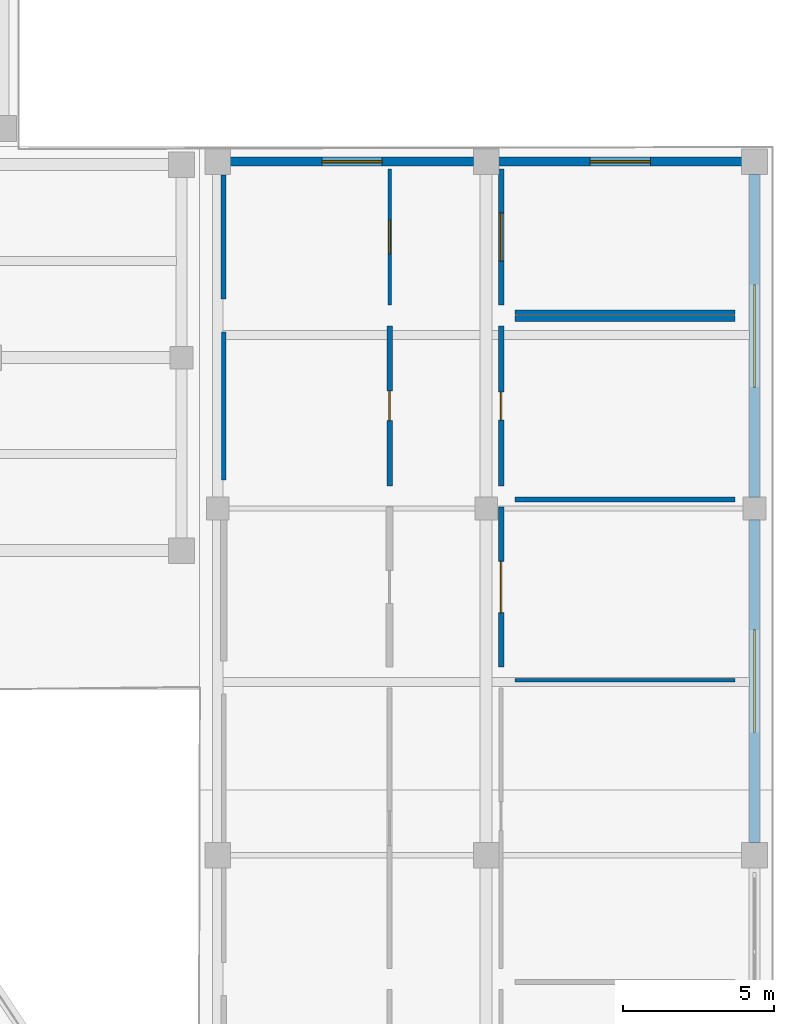
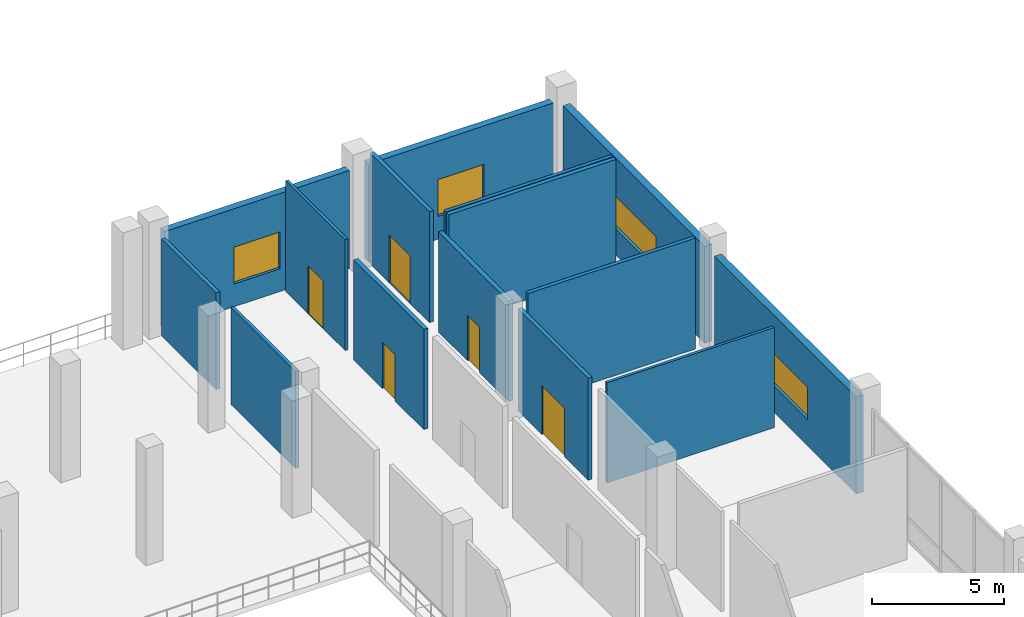
# One storey, part 85 of 114: 15 walls, 5 doors, 4 windows, 9 openings.
"""IFC4 building model written with IfcOpenShell, lengths in metres."""

from ifc_helpers import new_model, si_unit, direction, frame, frame_2d, origin, place, context, subcontext, project, spatial, rectangle, extrude, material, layer, layer_set, type_object, element, fill, save


model = new_model("IFC4")

# Units and contexts
model_context = context("Model", 3, precision=1e-05, world=origin(), true_north=direction((0.0, 1.0)))
body_context = subcontext(model_context, "Body", "Model", "MODEL_VIEW")
ifc_project = project(units=[si_unit("LENGTHUNIT", "METRE"), si_unit("AREAUNIT", "SQUARE_METRE"), si_unit("VOLUMEUNIT", "CUBIC_METRE"), si_unit("PLANEANGLEUNIT", "RADIAN"), si_unit("MASSUNIT", "GRAM", prefix="KILO")], contexts=[model_context])

# Site, building, storey
site_placement = place(None, origin())
site = spatial("IfcSite", under=ifc_project, at=site_placement, CompositionType="ELEMENT")
building_placement = place(site_placement, origin())
building = spatial("IfcBuilding", under=site, at=building_placement, Name="Candeia Ridge Stadium", CompositionType="ELEMENT")
storey_placement = place(building_placement, frame((0.0, 0.0, 5.39990234375)))
storey = spatial("IfcBuildingStorey", under=building, at=storey_placement, Name="L01", CompositionType="ELEMENT", Elevation=5.39990234375)

# Walls
ifc_material_1 = material(Name="Gypsum Metal-Stud Partition", Category="gypsum")
ifc_layer_1 = layer(ifc_material_1, 0.14501953125, Name="Gypsum Metal-Stud Partition", Category="gypsum")
ifc_layer_set_1 = layer_set([ifc_layer_1], Name="Gypsum Metal-Stud Partition")
wall_type_1 = type_object("IfcWallType", Name="Athlete Recovery Partition 145", PredefinedType="PARTITIONING", material=ifc_layer_set_1)
wall_1_placement = place(storey_placement, frame((193.800048828125, 135.949951171875, 0.0), z_axis=(0.0, 0.0, 1.0), x_axis=(0.0, 1.0, 0.0)))
element("IfcWall", 1, at=wall_1_placement, inside=storey, type_object=wall_type_1, Name="Demising partition PT-L01-0217", PredefinedType="PARTITIONING", context=body_context, shape_type="SweptSolid", body=[
    extrude(rectangle(XDim=4.900146484375, YDim=0.14501953125, at=frame_2d((2.4501953125, 0.0))), origin(), (0.0, 0.0, 1.0), 4.47509765625),
])
ifc_material_2 = material(Name="Gypsum Acoustic Twin-Stud Assembly", Category="gypsum")
ifc_layer_2 = layer(ifc_material_2, 0.159912109375, Name="Gypsum Acoustic Twin-Stud Assembly", Category="gypsum")
ifc_layer_set_2 = layer_set([ifc_layer_2], Name="Gypsum Acoustic Twin-Stud Assembly")
wall_type_2 = type_object("IfcWallType", Name="Club Dining Acoustic Partition 160", PredefinedType="PARTITIONING", material=ifc_layer_set_2)
wall_2_placement = place(storey_placement, frame((203.449951171875, 135.300048828125, 0.0), z_axis=(0.0, 0.0, 1.0), x_axis=(1.0, 0.0, 0.0)))
element("IfcWall", 2, at=wall_2_placement, inside=storey, type_object=wall_type_2, Name="Demising partition PT-L01-0215", PredefinedType="PARTITIONING", context=body_context, shape_type="SweptSolid", body=[
    extrude(rectangle(XDim=7.300048828125, YDim=0.159912109375, at=frame_2d((3.64990234375, 0.0))), origin(), (0.0, 0.0, 1.0), 5.1201171875),
])
ifc_material_3 = material(Name="Concrete Masonry Blockwork C25/30", Category="masonry")
ifc_layer_3 = layer(ifc_material_3, 0.14990234375, Name="Concrete Masonry Blockwork C25/30", Category="masonry")
ifc_layer_set_3 = layer_set([ifc_layer_3], Name="Concrete Masonry Blockwork C25/30")
wall_type_3 = type_object("IfcWallType", Name="Concourse Kiosk Partition 150", PredefinedType="PARTITIONING", material=ifc_layer_set_3)
wall_3_placement = place(storey_placement, frame((210.75, 141.5, 0.0), z_axis=(0.0, 0.0, 1.0), x_axis=(-1.0, 0.0, 0.0)))
element("IfcWall", 3, at=wall_3_placement, inside=storey, type_object=wall_type_3, Name="Demising partition PT-L01-0223", PredefinedType="PARTITIONING", context=body_context, shape_type="SweptSolid", body=[
    extrude(rectangle(XDim=7.300048828125, YDim=0.14990234375, at=frame_2d((3.64990234375, 0.0))), origin(), (0.0, 0.0, 1.0), 5.1201171875),
])

# Wall, opening, window
ifc_material_4 = material(Name="Concrete C35/45", Category="concrete")
ifc_layer_4 = layer(ifc_material_4, 0.320068359375, Name="Concrete C35/45", Category="concrete")
ifc_layer_set_4 = layer_set([ifc_layer_4], Name="Concrete C35/45")
wall_type_4 = type_object("IfcWallType", Name="Exterior Cedar-Clad Insulated Wall 320", PredefinedType="SOLIDWALL", material=ifc_layer_set_4)
wall_4_placement = place(storey_placement, frame((211.39990234375, 123.9130859375, 0.0), z_axis=(0.0, 0.0, 1.0), x_axis=(0.0, 1.0, 0.0)))
wall_4 = element("IfcWall", 4, at=wall_4_placement, inside=storey, type_object=wall_type_4, Name="Exterior facade wall EW-L01-0138", PredefinedType="SOLIDWALL", context=body_context, shape_type="SweptSolid", body=[
    extrude(rectangle(XDim=10.723876953125, YDim=0.320068359375, at=frame_2d((5.36181640625, 0.0))), origin(), (0.0, 0.0, 1.0), 4.47509765625),
])
opening_1_placement = place(wall_4_placement, frame((3.662109375, 0.0, 1.199951171875)))
opening_1 = element("IfcOpeningElement", 5, at=opening_1_placement, cuts=wall_4, Name="Opening W09", PredefinedType="OPENING", context=body_context, shape_type="SweptSolid", body=[
    extrude(rectangle(XDim=3.39990234375, YDim=1.5, at=frame_2d((1.699951171875, 0.75))), frame((0.0, 0.169921875, 0.0), z_axis=(0.0, -1.0, 0.0), x_axis=(1.0, 0.0, 0.0)), (0.0, 0.0, 1.0), 0.340087890625),
])
ifc_material_5 = material(Name="Tempered Solar-Control Double Glazing", Category="glass")
window_type_1 = type_object("IfcWindowType", Name="Warm-Up Hall High Window 3400x1500", PartitioningType="SINGLE_PANEL", PredefinedType="WINDOW", material=ifc_material_5)
window_1_placement = place(opening_1_placement, origin())
window_1 = element("IfcWindow", 6, at=window_1_placement, inside=storey, type_object=window_type_1, Name="Exterior window WIN-L01-075", OverallHeight=1.5, OverallWidth=3.39990234375, PartitioningType="SINGLE_PANEL", PredefinedType="WINDOW", context=body_context, shape_type="SweptSolid", body=[
    extrude(rectangle(XDim=3.39990234375, YDim=1.5, at=frame_2d((1.699951171875, 0.75))), frame((0.0, 0.030029296875, 0.0), z_axis=(0.0, -1.0, 0.0), x_axis=(1.0, 0.0, 0.0)), (0.0, 0.0, 1.0), 0.06005859375),
])
fill(opening_1, window_1)

wall_5_placement = place(storey_placement, frame((211.39990234375, 135.363037109375, 0.0), z_axis=(0.0, 0.0, 1.0), x_axis=(0.0, 1.0, 0.0)))
wall_5 = element("IfcWall", 7, at=wall_5_placement, inside=storey, type_object=wall_type_4, Name="Exterior facade wall EW-L01-0139", PredefinedType="SOLIDWALL", context=body_context, shape_type="SweptSolid", body=[
    extrude(rectangle(XDim=10.723876953125, YDim=0.320068359375, at=frame_2d((5.36181640625, 0.0))), origin(), (0.0, 0.0, 1.0), 4.47509765625),
])
opening_2_placement = place(wall_5_placement, frame((3.662109375, 0.0, 1.199951171875)))
opening_2 = element("IfcOpeningElement", 8, at=opening_2_placement, cuts=wall_5, Name="Opening W09", PredefinedType="OPENING", context=body_context, shape_type="SweptSolid", body=[
    extrude(rectangle(XDim=3.39990234375, YDim=1.5, at=frame_2d((1.699951171875, 0.75))), frame((0.0, 0.169921875, 0.0), z_axis=(0.0, -1.0, 0.0), x_axis=(1.0, 0.0, 0.0)), (0.0, 0.0, 1.0), 0.340087890625),
])
window_2_placement = place(opening_2_placement, origin())
window_2 = element("IfcWindow", 9, at=window_2_placement, inside=storey, type_object=window_type_1, Name="Exterior window WIN-L01-076", OverallHeight=1.5, OverallWidth=3.39990234375, PartitioningType="SINGLE_PANEL", PredefinedType="WINDOW", context=body_context, shape_type="SweptSolid", body=[
    extrude(rectangle(XDim=3.39990234375, YDim=1.5, at=frame_2d((1.699951171875, 0.75))), frame((0.0, 0.030029296875, 0.0), z_axis=(0.0, -1.0, 0.0), x_axis=(1.0, 0.0, 0.0)), (0.0, 0.0, 1.0), 0.06005859375),
])
fill(opening_2, window_2)

ifc_layer_5 = layer(ifc_material_4, 0.300048828125, Name="Concrete C35/45", Category="concrete")
ifc_layer_set_5 = layer_set([ifc_layer_5], Name="Concrete C35/45")
wall_type_5 = type_object("IfcWallType", Name="Exterior Pavilion Rainscreen Wall 300", PredefinedType="SOLIDWALL", material=ifc_layer_set_5)
wall_6_placement = place(storey_placement, frame((194.012939453125, 146.5, 0.0), z_axis=(0.0, 0.0, 1.0), x_axis=(1.0, 0.0, 0.0)))
wall_6 = element("IfcWall", 10, at=wall_6_placement, inside=storey, type_object=wall_type_5, Name="Exterior facade wall EW-L01-0142", PredefinedType="SOLIDWALL", context=body_context, shape_type="SweptSolid", body=[
    extrude(rectangle(XDim=8.073974609375, YDim=0.300048828125, at=frame_2d((4.037109375, 0.0))), origin(), (0.0, 0.0, 1.0), 4.525146484375),
])
opening_3_placement = place(wall_6_placement, frame((3.037109375, 0.0, 1.050048828125)))
opening_3 = element("IfcOpeningElement", 11, at=opening_3_placement, cuts=wall_6, Name="Opening W12", PredefinedType="OPENING", context=body_context, shape_type="SweptSolid", body=[
    extrude(rectangle(XDim=2.0, YDim=1.699951171875, at=frame_2d((1.0, 0.85009765625))), frame((0.0, 0.159912109375, 0.0), z_axis=(0.0, -1.0, 0.0), x_axis=(1.0, 0.0, 0.0)), (0.0, 0.0, 1.0), 0.320068359375),
])
window_type_2 = type_object("IfcWindowType", Name="Community Room Window 2000x1700", PartitioningType="SINGLE_PANEL", PredefinedType="WINDOW", material=ifc_material_5)
window_3_placement = place(opening_3_placement, origin())
window_3 = element("IfcWindow", 12, at=window_3_placement, inside=storey, type_object=window_type_2, Name="Exterior window WIN-L01-079", OverallHeight=1.699951171875, OverallWidth=2.0, PartitioningType="SINGLE_PANEL", PredefinedType="WINDOW", context=body_context, shape_type="SweptSolid", body=[
    extrude(rectangle(XDim=2.0, YDim=1.699951171875, at=frame_2d((1.0, 0.85009765625))), frame((0.0, 0.030029296875, 0.0), z_axis=(0.0, -1.0, 0.0), x_axis=(1.0, 0.0, 0.0)), (0.0, 0.0, 1.0), 0.06005859375),
])
fill(opening_3, window_3)

wall_7_placement = place(storey_placement, frame((202.9130859375, 146.5, 0.0), z_axis=(0.0, 0.0, 1.0), x_axis=(1.0, 0.0, 0.0)))
wall_7 = element("IfcWall", 13, at=wall_7_placement, inside=storey, type_object=wall_type_5, Name="Exterior facade wall EW-L01-0143", PredefinedType="SOLIDWALL", context=body_context, shape_type="SweptSolid", body=[
    extrude(rectangle(XDim=8.073974609375, YDim=0.300048828125, at=frame_2d((4.037109375, 0.0))), origin(), (0.0, 0.0, 1.0), 4.525146484375),
])
opening_4_placement = place(wall_7_placement, frame((3.037109375, 0.0, 1.050048828125)))
opening_4 = element("IfcOpeningElement", 14, at=opening_4_placement, cuts=wall_7, Name="Opening W12", PredefinedType="OPENING", context=body_context, shape_type="SweptSolid", body=[
    extrude(rectangle(XDim=2.0, YDim=1.699951171875, at=frame_2d((1.0, 0.85009765625))), frame((0.0, 0.159912109375, 0.0), z_axis=(0.0, -1.0, 0.0), x_axis=(1.0, 0.0, 0.0)), (0.0, 0.0, 1.0), 0.320068359375),
])
window_4_placement = place(opening_4_placement, origin())
window_4 = element("IfcWindow", 15, at=window_4_placement, inside=storey, type_object=window_type_2, Name="Exterior window WIN-L01-080", OverallHeight=1.699951171875, OverallWidth=2.0, PartitioningType="SINGLE_PANEL", PredefinedType="WINDOW", context=body_context, shape_type="SweptSolid", body=[
    extrude(rectangle(XDim=2.0, YDim=1.699951171875, at=frame_2d((1.0, 0.85009765625))), frame((0.0, 0.030029296875, 0.0), z_axis=(0.0, -1.0, 0.0), x_axis=(1.0, 0.0, 0.0)), (0.0, 0.0, 1.0), 0.06005859375),
])
fill(opening_4, window_4)

# Wall
ifc_layer_6 = layer(ifc_material_2, 0.1650390625, Name="Gypsum Acoustic Twin-Stud Assembly", Category="gypsum")
ifc_layer_set_6 = layer_set([ifc_layer_6], Name="Gypsum Acoustic Twin-Stud Assembly")
wall_type_6 = type_object("IfcWallType", Name="Hospitality Suite Acoustic Wall 165", PredefinedType="PARTITIONING", material=ifc_layer_set_6)
wall_8_placement = place(storey_placement, frame((193.800048828125, 141.949951171875, 0.0), z_axis=(0.0, 0.0, 1.0), x_axis=(0.0, 1.0, 0.0)))
element("IfcWall", 16, at=wall_8_placement, inside=storey, type_object=wall_type_6, Name="Demising partition PT-L01-0221", PredefinedType="PARTITIONING", context=body_context, shape_type="SweptSolid", body=[
    extrude(rectangle(XDim=4.10009765625, YDim=0.1650390625, at=frame_2d((2.050048828125, 0.0))), origin(), (0.0, 0.0, 1.0), 4.47509765625),
])

# Wall, opening, door
ifc_material_6 = material(Name="Gypsum Acoustic Triple-Board Wall", Category="gypsum")
ifc_layer_7 = layer(ifc_material_6, 0.18994140625, Name="Gypsum Acoustic Triple-Board Wall", Category="gypsum")
ifc_layer_set_7 = layer_set([ifc_layer_7], Name="Gypsum Acoustic Triple-Board Wall")
wall_type_7 = type_object("IfcWallType", Name="Media & Commentary Studio Wall 190", PredefinedType="PARTITIONING", material=ifc_layer_set_7)
wall_9_placement = place(storey_placement, frame((203.0, 135.75, 0.0), z_axis=(0.0, 0.0, 1.0), x_axis=(0.0, 1.0, 0.0)))
wall_9 = element("IfcWall", 17, at=wall_9_placement, inside=storey, type_object=wall_type_7, Name="Interior partition PT-L01-0218", PredefinedType="PARTITIONING", context=body_context, shape_type="SweptSolid", body=[
    extrude(rectangle(XDim=5.300048828125, YDim=0.18994140625, at=frame_2d((2.64990234375, 0.0))), origin(), (0.0, 0.0, 1.0), 4.625),
])
opening_5_placement = place(wall_9_placement, frame((2.18994140625, 0.0, 0.0)))
opening_5 = element("IfcOpeningElement", 18, at=opening_5_placement, cuts=wall_9, Name="Opening ID15", PredefinedType="OPENING", context=body_context, shape_type="SweptSolid", body=[
    extrude(rectangle(XDim=0.919921875, YDim=2.10009765625, at=frame_2d((0.4599609375, 1.050048828125))), frame((0.0, 0.10498046875, 0.0), z_axis=(0.0, -1.0, 0.0), x_axis=(1.0, 0.0, 0.0)), (0.0, 0.0, 1.0), 0.2099609375),
])
ifc_material_7 = material(Name="Powder-Coated Hollow Metal", Category="steel")
door_type_1 = type_object("IfcDoorType", Name="Concourse Store Single Door 920x2100", OperationType="NOTDEFINED", PredefinedType="DOOR", material=ifc_material_7)
door_1_placement = place(opening_5_placement, origin())
door_1 = element("IfcDoor", 19, at=door_1_placement, inside=storey, type_object=door_type_1, Name="Interior room door D-L01-0114", OperationType="SINGLE_SWING_LEFT", OverallHeight=2.10009765625, OverallWidth=0.919921875, PredefinedType="DOOR", context=body_context, shape_type="SweptSolid", body=[
    extrude(rectangle(XDim=0.919921875, YDim=2.10009765625, at=frame_2d((0.4599609375, 1.050048828125))), frame((0.0, 0.02490234375, 0.0), z_axis=(0.0, -1.0, 0.0), x_axis=(1.0, 0.0, 0.0)), (0.0, 0.0, 1.0), 0.050048828125),
])
fill(opening_5, door_1)

ifc_layer_8 = layer(ifc_material_6, 0.18505859375, Name="Gypsum Acoustic Triple-Board Wall", Category="gypsum")
ifc_layer_set_8 = layer_set([ifc_layer_8], Name="Gypsum Acoustic Triple-Board Wall")
wall_type_8 = type_object("IfcWallType", Name="Media Booth Studio Divider 185", PredefinedType="PARTITIONING", material=ifc_layer_set_8)
wall_10_placement = place(storey_placement, frame((199.300048828125, 141.050048828125, 0.0), z_axis=(0.0, 0.0, 1.0), x_axis=(0.0, -1.0, 0.0)))
wall_10 = element("IfcWall", 20, at=wall_10_placement, inside=storey, type_object=wall_type_8, Name="Interior partition PT-L01-0216", PredefinedType="PARTITIONING", context=body_context, shape_type="SweptSolid", body=[
    extrude(rectangle(XDim=5.300048828125, YDim=0.18505859375, at=frame_2d((2.64990234375, 0.0))), origin(), (0.0, 0.0, 1.0), 4.625),
])
opening_6_placement = place(wall_10_placement, frame((2.159912109375, 0.0, 0.0)))
opening_6 = element("IfcOpeningElement", 21, at=opening_6_placement, cuts=wall_10, Name="Opening ID12", PredefinedType="OPENING", context=body_context, shape_type="SweptSolid", body=[
    extrude(rectangle(XDim=0.97998046875, YDim=2.14990234375, at=frame_2d((0.489990234375, 1.074951171875))), frame((0.0, 0.1025390625, 0.0), z_axis=(0.0, -1.0, 0.0), x_axis=(1.0, 0.0, 0.0)), (0.0, 0.0, 1.0), 0.205078125),
])
ifc_material_8 = material(Name="Acoustic Timber Studio Leaf", Category="wood")
door_type_2 = type_object("IfcDoorType", Name="Commentary Booth Acoustic Door 980x2150", OperationType="NOTDEFINED", PredefinedType="DOOR", material=ifc_material_8)
door_2_placement = place(opening_6_placement, frame((0.97998046875, 0.0, 0.0), z_axis=(0.0, 0.0, 1.0), x_axis=(-1.0, 0.0, 0.0)))
door_2 = element("IfcDoor", 22, at=door_2_placement, inside=storey, type_object=door_type_2, Name="Interior room door D-L01-0113", OperationType="SINGLE_SWING_RIGHT", OverallHeight=2.14990234375, OverallWidth=0.97998046875, PredefinedType="DOOR", context=body_context, shape_type="SweptSolid", body=[
    extrude(rectangle(XDim=0.97998046875, YDim=2.14990234375, at=frame_2d((0.489990234375, 1.074951171875))), frame((0.0, 0.02490234375, 0.0), z_axis=(0.0, -1.0, 0.0), x_axis=(1.0, 0.0, 0.0)), (0.0, 0.0, 1.0), 0.050048828125),
])
fill(opening_6, door_2)

# Wall
wall_11_placement = place(storey_placement, frame((203.449951171875, 141.300048828125, 0.0), z_axis=(0.0, 0.0, 1.0), x_axis=(1.0, 0.0, 0.0)))
element("IfcWall", 23, at=wall_11_placement, inside=storey, type_object=wall_type_8, Name="Demising partition PT-L01-0219", PredefinedType="PARTITIONING", context=body_context, shape_type="SweptSolid", body=[
    extrude(rectangle(XDim=7.300048828125, YDim=0.18505859375, at=frame_2d((3.64990234375, 0.0))), origin(), (0.0, 0.0, 1.0), 5.1201171875),
])

# Wall, opening, door
ifc_layer_9 = layer(ifc_material_2, 0.175048828125, Name="Gypsum Acoustic Twin-Stud Assembly", Category="gypsum")
ifc_layer_set_9 = layer_set([ifc_layer_9], Name="Gypsum Acoustic Twin-Stud Assembly")
wall_type_9 = type_object("IfcWallType", Name="Museum Acoustic Gallery Wall 175", PredefinedType="PARTITIONING", material=ifc_layer_set_9)
wall_12_placement = place(storey_placement, frame((203.0, 141.75, 0.0), z_axis=(0.0, 0.0, 1.0), x_axis=(0.0, 1.0, 0.0)))
wall_12 = element("IfcWall", 24, at=wall_12_placement, inside=storey, type_object=wall_type_9, Name="Interior partition PT-L01-0222", PredefinedType="PARTITIONING", context=body_context, shape_type="SweptSolid", body=[
    extrude(rectangle(XDim=4.5, YDim=0.175048828125, at=frame_2d((2.25, 0.0))), origin(), (0.0, 0.0, 1.0), 5.1201171875),
])
opening_7_placement = place(wall_12_placement, frame((1.449951171875, 0.0, 0.0)))
opening_7 = element("IfcOpeningElement", 25, at=opening_7_placement, cuts=wall_12, Name="Opening ID03", PredefinedType="OPENING", context=body_context, shape_type="SweptSolid", body=[
    extrude(rectangle(XDim=1.60009765625, YDim=2.199951171875, at=frame_2d((0.800048828125, 1.10009765625))), frame((0.0, 0.097412109375, 0.0), z_axis=(0.0, -1.0, 0.0), x_axis=(1.0, 0.0, 0.0)), (0.0, 0.0, 1.0), 0.195068359375),
])
ifc_material_9 = material(Name="Solid Core Hardwood Veneer", Category="wood")
door_type_3 = type_object("IfcDoorType", Name="Athlete Dressing Double Door 1600x2200", OperationType="NOTDEFINED", PredefinedType="DOOR", material=ifc_material_9)
door_3_placement = place(opening_7_placement, origin())
door_3 = element("IfcDoor", 26, at=door_3_placement, inside=storey, type_object=door_type_3, Name="Interior room door D-L01-0116", OperationType="DOUBLE_DOOR_SINGLE_SWING", OverallHeight=2.199951171875, OverallWidth=1.60009765625, PredefinedType="DOOR", context=body_context, shape_type="SweptSolid", body=[
    extrude(rectangle(XDim=1.60009765625, YDim=2.199951171875, at=frame_2d((0.800048828125, 1.10009765625))), frame((0.0, 0.02490234375, 0.0), z_axis=(0.0, -1.0, 0.0), x_axis=(1.0, 0.0, 0.0)), (0.0, 0.0, 1.0), 0.050048828125),
])
fill(opening_7, door_3)

ifc_layer_10 = layer(ifc_material_2, 0.169921875, Name="Gypsum Acoustic Twin-Stud Assembly", Category="gypsum")
ifc_layer_set_10 = layer_set([ifc_layer_10], Name="Gypsum Acoustic Twin-Stud Assembly")
wall_type_10 = type_object("IfcWallType", Name="Skybox Demising Acoustic Wall 170", PredefinedType="PARTITIONING", material=ifc_layer_set_10)
wall_13_placement = place(storey_placement, frame((203.0, 129.75, 0.0), z_axis=(0.0, 0.0, 1.0), x_axis=(0.0, 1.0, 0.0)))
wall_13 = element("IfcWall", 27, at=wall_13_placement, inside=storey, type_object=wall_type_10, Name="Interior partition PT-L01-0214", PredefinedType="PARTITIONING", context=body_context, shape_type="SweptSolid", body=[
    extrude(rectangle(XDim=5.300048828125, YDim=0.169921875, at=frame_2d((2.64990234375, 0.0))), origin(), (0.0, 0.0, 1.0), 4.715087890625),
])
opening_8_placement = place(wall_13_placement, frame((1.800048828125, 0.0, 0.0)))
opening_8 = element("IfcOpeningElement", 28, at=opening_8_placement, cuts=wall_13, Name="Opening ID09", PredefinedType="OPENING", context=body_context, shape_type="SweptSolid", body=[
    extrude(rectangle(XDim=1.699951171875, YDim=2.25, at=frame_2d((0.85009765625, 1.125))), frame((0.0, 0.094970703125, 0.0), z_axis=(0.0, -1.0, 0.0), x_axis=(1.0, 0.0, 0.0)), (0.0, 0.0, 1.0), 0.18994140625),
])
ifc_material_10 = material(Name="Timber Fire-Rated Acoustic", Category="wood")
door_type_4 = type_object("IfcDoorType", Name="Founders Lounge Double Door 1700x2250", OperationType="NOTDEFINED", PredefinedType="DOOR", material=ifc_material_10)
door_4_placement = place(opening_8_placement, origin())
door_4 = element("IfcDoor", 29, at=door_4_placement, inside=storey, type_object=door_type_4, Name="Interior room door D-L01-0112", OperationType="DOUBLE_DOOR_SINGLE_SWING", OverallHeight=2.25, OverallWidth=1.699951171875, PredefinedType="DOOR", context=body_context, shape_type="SweptSolid", body=[
    extrude(rectangle(XDim=1.699951171875, YDim=2.25, at=frame_2d((0.85009765625, 1.125))), frame((0.0, 0.02490234375, 0.0), z_axis=(0.0, -1.0, 0.0), x_axis=(1.0, 0.0, 0.0)), (0.0, 0.0, 1.0), 0.050048828125),
])
fill(opening_8, door_4)

# Wall
ifc_layer_11 = layer(ifc_material_1, 0.1201171875, Name="Gypsum Metal-Stud Partition", Category="gypsum")
ifc_layer_set_11 = layer_set([ifc_layer_11], Name="Gypsum Metal-Stud Partition")
wall_type_11 = type_object("IfcWallType", Name="Suite Internal Divider 120", PredefinedType="PARTITIONING", material=ifc_layer_set_11)
wall_14_placement = place(storey_placement, frame((203.449951171875, 129.300048828125, 0.0), z_axis=(0.0, 0.0, 1.0), x_axis=(1.0, 0.0, 0.0)))
element("IfcWall", 30, at=wall_14_placement, inside=storey, type_object=wall_type_11, Name="Demising partition PT-L01-0211", PredefinedType="PARTITIONING", context=body_context, shape_type="SweptSolid", body=[
    extrude(rectangle(XDim=7.300048828125, YDim=0.1201171875, at=frame_2d((3.64990234375, 0.0))), origin(), (0.0, 0.0, 1.0), 4.625),
])

# Wall, opening, door
wall_15_placement = place(storey_placement, frame((199.300048828125, 146.25, 0.0), z_axis=(0.0, 0.0, 1.0), x_axis=(0.0, -1.0, 0.0)))
wall_15 = element("IfcWall", 31, at=wall_15_placement, inside=storey, type_object=wall_type_11, Name="Interior partition PT-L01-0220", PredefinedType="PARTITIONING", context=body_context, shape_type="SweptSolid", body=[
    extrude(rectangle(XDim=4.5, YDim=0.1201171875, at=frame_2d((2.25, 0.0))), origin(), (0.0, 0.0, 1.0), 5.1201171875),
])
opening_9_placement = place(wall_15_placement, frame((1.68994140625, 0.0, 0.0)))
opening_9 = element("IfcOpeningElement", 32, at=opening_9_placement, cuts=wall_15, Name="Opening ID18", PredefinedType="OPENING", context=body_context, shape_type="SweptSolid", body=[
    extrude(rectangle(XDim=1.1201171875, YDim=2.199951171875, at=frame_2d((0.56005859375, 1.10009765625))), frame((0.0, 0.070068359375, 0.0), z_axis=(0.0, -1.0, 0.0), x_axis=(1.0, 0.0, 0.0)), (0.0, 0.0, 1.0), 0.14013671875),
])
ifc_material_11 = material(Name="Galvanized Fire-Rated Steel", Category="steel")
door_type_5 = type_object("IfcDoorType", Name="Control Room Security Door 1120x2200", OperationType="NOTDEFINED", PredefinedType="DOOR", material=ifc_material_11)
door_5_placement = place(opening_9_placement, origin())
door_5 = element("IfcDoor", 33, at=door_5_placement, inside=storey, type_object=door_type_5, Name="Interior room door D-L01-0115", OperationType="SINGLE_SWING_RIGHT", OverallHeight=2.199951171875, OverallWidth=1.1201171875, PredefinedType="DOOR", context=body_context, shape_type="SweptSolid", body=[
    extrude(rectangle(XDim=1.1201171875, YDim=2.199951171875, at=frame_2d((0.56005859375, 1.10009765625))), frame((0.0, 0.02490234375, 0.0), z_axis=(0.0, -1.0, 0.0), x_axis=(1.0, 0.0, 0.0)), (0.0, 0.0, 1.0), 0.050048828125),
])
fill(opening_9, door_5)

save(model, "model.ifc")
